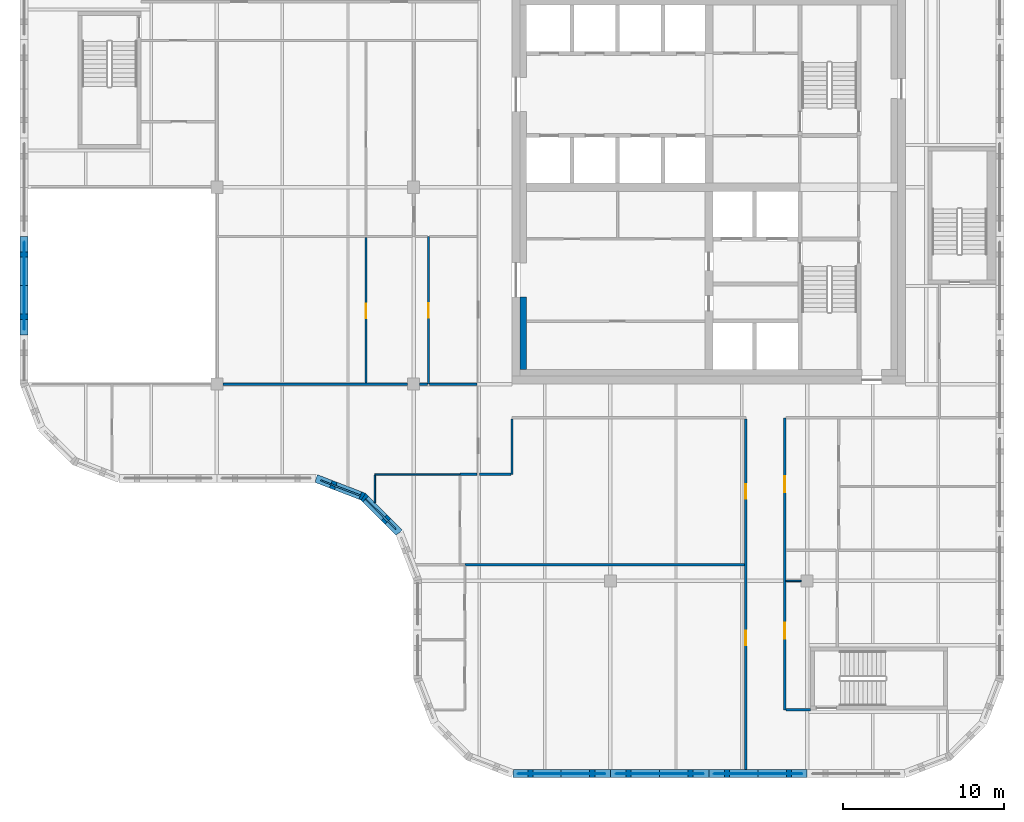
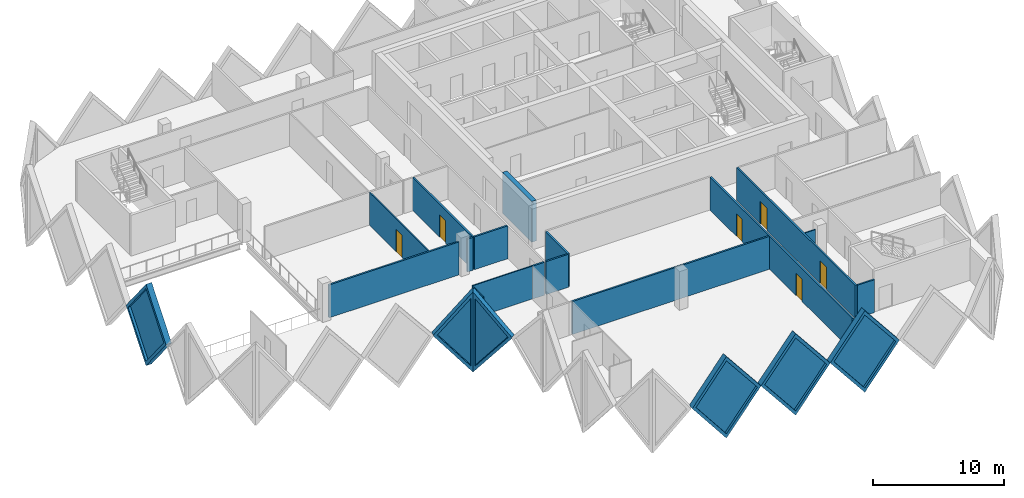
# One storey, part 4 of 11: 22 walls, 6 doors, 6 plates, 12 openings.
"""IFC4 building model written with IfcOpenShell, lengths in metres."""

from ifc_helpers import new_model, si_unit, direction, frame, frame_2d, origin, place, context, subcontext, project, spatial, polyline, rectangle, outline, extrude, faceted_brep, source, transform, mapped, material, layer, layer_set, type_object, element, fill, save


model = new_model("IFC4")

# Units and contexts
model_context = context("Model", 3, precision=1e-05, world=origin(), true_north=direction((0.0, 1.0)))
body_context = subcontext(model_context, "Body", "Model", "MODEL_VIEW")
ifc_project = project(units=[si_unit("LENGTHUNIT", "METRE"), si_unit("AREAUNIT", "SQUARE_METRE"), si_unit("VOLUMEUNIT", "CUBIC_METRE"), si_unit("PLANEANGLEUNIT", "RADIAN"), si_unit("MASSUNIT", "GRAM", prefix="KILO")], contexts=[model_context])

# Site, building, storey
site_placement = place(None, origin())
site = spatial("IfcSite", under=ifc_project, at=site_placement, CompositionType="ELEMENT")
building_placement = place(site_placement, origin())
building = spatial("IfcBuilding", under=site, at=building_placement, Name="Tessera Gate Towers", CompositionType="ELEMENT")
storey_placement = place(building_placement, frame((0.0, 0.0, 201.699951171875)))
storey = spatial("IfcBuildingStorey", under=building, at=storey_placement, Name="L50", CompositionType="ELEMENT", Elevation=201.699951171875)

# Wall
ifc_material_1 = material(Name="Concrete C50/60", Category="concrete")
ifc_layer_1 = layer(ifc_material_1, 0.39990234375)
ifc_layer_set_1 = layer_set([ifc_layer_1], Name="CORE WALL THICKENING 400")
wall_type_1 = type_object("IfcWallType", Name="CORE WALL THICKENING 400", PredefinedType="SOLIDWALL", material=ifc_layer_set_1)
wall_1_placement = place(storey_placement, frame((31.199951171875, 25.300048828125, 0.0), z_axis=(0.0, 0.0, 1.0), x_axis=(0.0, 1.0, 0.0)))
element("IfcWall", 1, at=wall_1_placement, inside=storey, type_object=wall_type_1, Name="Core wall thickening W L50", PredefinedType="SOLIDWALL", context=body_context, shape_type="SweptSolid", body=[
    extrude(rectangle(XDim=4.5, YDim=0.39990234375, at=frame_2d((2.25, 0.0))), origin(), (0.0, 0.0, 1.0), 3.800048828125),
])

# Wall, openings, doors
ifc_material_2 = material(Name="Gypsum board on steel studs, mineral wool", Category="steel")
ifc_layer_2 = layer(ifc_material_2, 0.14990234375)
ifc_layer_set_2 = layer_set([ifc_layer_2], Name="CORRIDOR WALL 150")
wall_type_2 = type_object("IfcWallType", Name="CORRIDOR WALL 150", PredefinedType="PARTITIONING", material=ifc_layer_set_2)
wall_2_placement = place(storey_placement, frame((45.0, 0.5, 0.0), z_axis=(0.0, 0.0, 1.0), x_axis=(0.0, 1.0, 0.0)))
wall_2 = element("IfcWall", 2, at=wall_2_placement, inside=storey, type_object=wall_type_2, Name="T1-L50-PW-001", PredefinedType="PARTITIONING", context=body_context, shape_type="SweptSolid", body=[
    extrude(rectangle(XDim=21.72412109375, YDim=0.14990234375, at=frame_2d((10.862060546875, 0.0))), origin(), (0.0, 0.0, 1.0), 3.067138671875),
])
shared_shape_1 = source(origin(), body_context, "Body", "SweptSolid", [
    extrude(rectangle(XDim=0.89990234375, YDim=2.10009765625, at=frame_2d((0.449951171875, 1.050048828125))), frame((0.0, 0.0849609375, 0.0), z_axis=(0.0, -1.0, 0.0), x_axis=(1.0, 0.0, 0.0)), (0.0, 0.0, 1.0), 0.169921875),
])
opening_1_placement = place(wall_2_placement, frame((7.699951171875, 0.0, 0.0)))
opening_1 = element("IfcOpeningElement", 3, at=opening_1_placement, cuts=wall_2, Name="Opening D890FD60-A18-03", PredefinedType="OPENING", context=body_context, shape_type="MappedRepresentation", body=[
    mapped(shared_shape_1, transform((0.0, 0.0, 0.0), scale=1.0)),
])
opening_2_placement = place(wall_2_placement, frame((16.800048828125, 0.0, 0.0)))
opening_2 = element("IfcOpeningElement", 4, at=opening_2_placement, cuts=wall_2, Name="Opening D890FD60-A18-04", PredefinedType="OPENING", context=body_context, shape_type="MappedRepresentation", body=[
    mapped(shared_shape_1, transform((0.0, 0.0, 0.0), scale=1.0)),
])
ifc_material_3 = material(Name="Timber door leaf in steel frame", Category="steel")
door_type_1 = type_object("IfcDoorType", Name="CORRIDOR DOOR 900 FD60", OperationType="NOTDEFINED", PredefinedType="DOOR", material=ifc_material_3)
shared_shape_2 = source(origin(), body_context, "Body", "SweptSolid", [
    extrude(rectangle(XDim=0.89990234375, YDim=2.10009765625, at=frame_2d((0.449951171875, 1.050048828125))), frame((0.0, 0.02490234375, 0.0), z_axis=(0.0, -1.0, 0.0), x_axis=(1.0, 0.0, 0.0)), (0.0, 0.0, 1.0), 0.050048828125),
])
door_1_placement = place(opening_1_placement, origin())
door_1 = element("IfcDoor", 5, at=door_1_placement, inside=storey, type_object=door_type_1, Name="T1-L50-PD-015", OperationType="SINGLE_SWING_LEFT", OverallHeight=2.10009765625, OverallWidth=0.89990234375, PredefinedType="DOOR", context=body_context, shape_type="MappedRepresentation", body=[
    mapped(shared_shape_2, transform((0.0, 0.0, 0.0), scale=1.0)),
])
fill(opening_1, door_1)
door_2_placement = place(opening_2_placement, origin())
door_2 = element("IfcDoor", 6, at=door_2_placement, inside=storey, type_object=door_type_1, Name="T1-L50-PD-016", OperationType="SINGLE_SWING_LEFT", OverallHeight=2.10009765625, OverallWidth=0.89990234375, PredefinedType="DOOR", context=body_context, shape_type="MappedRepresentation", body=[
    mapped(shared_shape_2, transform((0.0, 0.0, 0.0), scale=1.0)),
])
fill(opening_2, door_2)

wall_3_placement = place(storey_placement, frame((47.39990234375, 22.300048828125, 0.0), z_axis=(0.0, 0.0, 1.0), x_axis=(0.0, -1.0, 0.0)))
wall_3 = element("IfcWall", 7, at=wall_3_placement, inside=storey, type_object=wall_type_2, Name="T1-L50-PW-005", PredefinedType="PARTITIONING", context=body_context, shape_type="SweptSolid", body=[
    extrude(rectangle(XDim=18.10009765625, YDim=0.14990234375, at=frame_2d((9.050048828125, 0.0))), origin(), (0.0, 0.0, 1.0), 3.067138671875),
])
shared_shape_3 = source(origin(), body_context, "Body", "SweptSolid", [
    extrude(rectangle(XDim=1.0, YDim=2.10009765625, at=frame_2d((0.5, 1.050048828125))), frame((0.0, 0.0849609375, 0.0), z_axis=(0.0, -1.0, 0.0), x_axis=(1.0, 0.0, 0.0)), (0.0, 0.0, 1.0), 0.169921875),
])
opening_3_placement = place(wall_3_placement, frame((3.59912109375, 0.0, 0.0)))
opening_3 = element("IfcOpeningElement", 8, at=opening_3_placement, cuts=wall_3, Name="Opening D2100FD60-A18-02", PredefinedType="OPENING", context=body_context, shape_type="MappedRepresentation", body=[
    mapped(shared_shape_3, transform((0.0, 0.0, 0.0), scale=1.0)),
])
opening_4_placement = place(wall_3_placement, frame((12.699951171875, 0.0, 0.0)))
opening_4 = element("IfcOpeningElement", 9, at=opening_4_placement, cuts=wall_3, Name="Opening D2100FD60-A18-05", PredefinedType="OPENING", context=body_context, shape_type="MappedRepresentation", body=[
    mapped(shared_shape_3, transform((0.0, 0.0, 0.0), scale=1.0)),
])
ifc_material_4 = material(Name="Timber door leaf in steel frame", Category="steel")
door_type_2 = type_object("IfcDoorType", Name="TENANCY ENTRANCE DOOR 1000 FD60", OperationType="NOTDEFINED", PredefinedType="DOOR", material=ifc_material_4)
shared_shape_4 = source(origin(), body_context, "Body", "SweptSolid", [
    extrude(rectangle(XDim=1.0, YDim=2.10009765625, at=frame_2d((0.5, 1.050048828125))), frame((0.0, 0.02490234375, 0.0), z_axis=(0.0, -1.0, 0.0), x_axis=(1.0, 0.0, 0.0)), (0.0, 0.0, 1.0), 0.050048828125),
])
door_3_placement = place(opening_3_placement, origin())
door_3 = element("IfcDoor", 10, at=door_3_placement, inside=storey, type_object=door_type_2, Name="T1-L50-PD-011", OperationType="SINGLE_SWING_RIGHT", OverallHeight=2.10009765625, OverallWidth=1.0, PredefinedType="DOOR", context=body_context, shape_type="MappedRepresentation", body=[
    mapped(shared_shape_4, transform((0.0, 0.0, 0.0), scale=1.0)),
])
fill(opening_3, door_3)
door_4_placement = place(opening_4_placement, origin())
door_4 = element("IfcDoor", 11, at=door_4_placement, inside=storey, type_object=door_type_2, Name="T1-L50-PD-021", OperationType="SINGLE_SWING_RIGHT", OverallHeight=2.10009765625, OverallWidth=1.0, PredefinedType="DOOR", context=body_context, shape_type="MappedRepresentation", body=[
    mapped(shared_shape_4, transform((0.0, 0.0, 0.0), scale=1.0)),
])
fill(opening_4, door_4)

# Walls
wall_4_placement = place(storey_placement, frame((47.47607421875, 4.199951171875, 0.0), z_axis=(0.0, 0.0, 1.0), x_axis=(1.0, 0.0, 0.0)))
element("IfcWall", 12, at=wall_4_placement, inside=storey, type_object=wall_type_2, Name="T1-L50-PW-006", PredefinedType="PARTITIONING", context=body_context, shape_type="SweptSolid", body=[
    extrude(rectangle(XDim=1.52392578125, YDim=0.14990234375, at=frame_2d((0.761962890625, 0.0))), origin(), (0.0, 0.0, 1.0), 3.067138671875),
])
wall_5_placement = place(storey_placement, frame((28.47607421875, 18.800048828125, 0.0), z_axis=(0.0, 0.0, 1.0), x_axis=(1.0, 0.0, 0.0)))
element("IfcWall", 13, at=wall_5_placement, inside=storey, type_object=wall_type_2, Name="T1-L50-PW-023", PredefinedType="PARTITIONING", context=body_context, shape_type="SweptSolid", body=[
    extrude(rectangle(XDim=1.947998046875, YDim=0.14990234375, at=frame_2d((0.97412109375, 0.0))), origin(), (0.0, 0.0, 1.0), 3.067138671875),
])
wall_6_placement = place(storey_placement, frame((30.5, 18.800048828125, 0.0), z_axis=(0.0, 0.0, 1.0), x_axis=(0.0, 1.0, 0.0)))
element("IfcWall", 14, at=wall_6_placement, inside=storey, type_object=wall_type_2, Name="T1-L50-PW-024", PredefinedType="PARTITIONING", context=body_context, shape_type="SweptSolid", body=[
    extrude(rectangle(XDim=3.424072265625, YDim=0.14990234375, at=frame_2d((1.7119140625, 0.0))), origin(), (0.0, 0.0, 1.0), 3.067138671875),
])
ifc_material_5 = material(Name="Glass", Category="glass")
ifc_layer_3 = layer(ifc_material_5, 0.10009765625)
ifc_layer_set_3 = layer_set([ifc_layer_3], Name="GLAZED PARTITION 100")
wall_type_3 = type_object("IfcWallType", Name="GLAZED PARTITION 100", PredefinedType="PARTITIONING", material=ifc_layer_set_3)
wall_7_placement = place(storey_placement, frame((22.0, 17.054931640625, 0.0), z_axis=(0.0, 0.0, 1.0), x_axis=(0.0, 1.0, 0.0)))
element("IfcWall", 15, at=wall_7_placement, inside=storey, type_object=wall_type_3, Name="T1-L50-PW-018", PredefinedType="PARTITIONING", context=body_context, shape_type="SweptSolid", body=[
    extrude(rectangle(XDim=1.694091796875, YDim=0.10009765625, at=frame_2d((0.84716796875, 0.0))), origin(), (0.0, 0.0, 1.0), 3.067138671875),
])
wall_8_placement = place(storey_placement, frame((22.0, 18.800048828125, 0.0), z_axis=(0.0, 0.0, 1.0), x_axis=(1.0, 0.0, 0.0)))
element("IfcWall", 16, at=wall_8_placement, inside=storey, type_object=wall_type_3, Name="T1-L50-PW-020", PredefinedType="PARTITIONING", context=body_context, shape_type="SweptSolid", body=[
    extrude(rectangle(XDim=5.27392578125, YDim=0.10009765625, at=frame_2d((2.636962890625, 0.0))), origin(), (0.0, 0.0, 1.0), 3.067138671875),
])
ifc_material_6 = material(Name="Gypsum board on steel studs", Category="steel")
ifc_layer_4 = layer(ifc_material_6, 0.10009765625)
ifc_layer_set_4 = layer_set([ifc_layer_4], Name="PARTITION 100")
wall_type_4 = type_object("IfcWallType", Name="PARTITION 100", PredefinedType="PARTITIONING", material=ifc_layer_set_4)
wall_9_placement = place(storey_placement, frame((48.425048828125, 12.199951171875, 0.0), z_axis=(0.0, 0.0, 1.0), x_axis=(-1.0, 0.0, 0.0)))
element("IfcWall", 17, at=wall_9_placement, inside=storey, type_object=wall_type_4, Name="T1-L50-PW-010", PredefinedType="PARTITIONING", context=body_context, shape_type="SweptSolid", body=[
    extrude(rectangle(XDim=0.949951171875, YDim=0.10009765625, at=frame_2d((0.47509765625, 0.0))), origin(), (0.0, 0.0, 1.0), 3.067138671875),
])

# Wall, opening, door
wall_10_placement = place(storey_placement, frame((21.449951171875, 24.47607421875, 0.0), z_axis=(0.0, 0.0, 1.0), x_axis=(0.0, 1.0, 0.0)))
wall_10 = element("IfcWall", 18, at=wall_10_placement, inside=storey, type_object=wall_type_4, Name="T1-L50-PW-034", PredefinedType="PARTITIONING", context=body_context, shape_type="SweptSolid", body=[
    extrude(rectangle(XDim=8.998046875, YDim=0.10009765625, at=frame_2d((4.4990234375, 0.0))), origin(), (0.0, 0.0, 1.0), 3.067138671875),
])
shared_shape_5 = source(origin(), body_context, "Body", "SweptSolid", [
    extrude(rectangle(XDim=0.89990234375, YDim=2.10009765625, at=frame_2d((0.449951171875, 1.050048828125))), frame((0.0, 0.06005859375, 0.0), z_axis=(0.0, -1.0, 0.0), x_axis=(1.0, 0.0, 0.0)), (0.0, 0.0, 1.0), 0.1201171875),
])
opening_5_placement = place(wall_10_placement, frame((4.0, 0.0, 0.0)))
opening_5 = element("IfcOpeningElement", 19, at=opening_5_placement, cuts=wall_10, Name="Opening D190-A18-05", PredefinedType="OPENING", context=body_context, shape_type="MappedRepresentation", body=[
    mapped(shared_shape_5, transform((0.0, 0.0, 0.0), scale=1.0)),
])
ifc_material_7 = material(Name="Timber door leaf in steel frame", Category="steel")
door_type_3 = type_object("IfcDoorType", Name="INTERNAL DOOR 900 NOT RATED", OperationType="NOTDEFINED", PredefinedType="DOOR", material=ifc_material_7)
door_5_placement = place(opening_5_placement, origin())
door_5 = element("IfcDoor", 20, at=door_5_placement, inside=storey, type_object=door_type_3, Name="T1-L50-PD-014", OperationType="SINGLE_SWING_LEFT", OverallHeight=2.10009765625, OverallWidth=0.89990234375, PredefinedType="DOOR", context=body_context, shape_type="MappedRepresentation", body=[
    mapped(shared_shape_2, transform((0.0, 0.0, 0.0), scale=1.0)),
])
fill(opening_5, door_5)

# Walls
ifc_material_8 = material(Name="Gypsum board on steel studs, mineral wool", Category="steel")
ifc_layer_5 = layer(ifc_material_8, 0.14990234375)
ifc_layer_set_5 = layer_set([ifc_layer_5], Name="TENANCY WALL 150")
wall_type_5 = type_object("IfcWallType", Name="TENANCY WALL 150", PredefinedType="PARTITIONING", material=ifc_layer_set_5)
wall_11_placement = place(storey_placement, frame((27.574951171875, 13.199951171875, 0.0), z_axis=(0.0, 0.0, 1.0), x_axis=(1.0, 0.0, 0.0)))
element("IfcWall", 21, at=wall_11_placement, inside=storey, type_object=wall_type_5, Name="T1-L50-PW-013", PredefinedType="PARTITIONING", context=body_context, shape_type="SweptSolid", body=[
    extrude(rectangle(XDim=17.34912109375, YDim=0.14990234375, at=frame_2d((8.674560546875, 0.0))), origin(), (0.0, 0.0, 1.0), 3.067138671875),
])
wall_12_placement = place(storey_placement, frame((27.27490234375, 18.800048828125, 0.0), z_axis=(0.0, 0.0, 1.0), x_axis=(1.0, 0.0, 0.0)))
element("IfcWall", 22, at=wall_12_placement, inside=storey, type_object=wall_type_5, Name="T1-L50-PW-021", PredefinedType="PARTITIONING", context=body_context, shape_type="SweptSolid", body=[
    extrude(rectangle(XDim=1.049072265625, YDim=0.14990234375, at=frame_2d((0.5244140625, 0.0))), origin(), (0.0, 0.0, 1.0), 3.067138671875),
])
wall_13_placement = place(storey_placement, frame((12.575927734375, 24.39990234375, 0.0), z_axis=(0.0, 0.0, 1.0), x_axis=(1.0, 0.0, 0.0)))
element("IfcWall", 23, at=wall_13_placement, inside=storey, type_object=wall_type_5, Name="T1-L50-PW-030", PredefinedType="PARTITIONING", context=body_context, shape_type="SweptSolid", body=[
    extrude(rectangle(XDim=11.447998046875, YDim=0.14990234375, at=frame_2d((5.72412109375, 0.0))), origin(), (0.0, 0.0, 1.0), 3.067138671875),
])
wall_14_placement = place(storey_placement, frame((24.77587890625, 24.39990234375, 0.0), z_axis=(0.0, 0.0, 1.0), x_axis=(1.0, 0.0, 0.0)))
element("IfcWall", 24, at=wall_14_placement, inside=storey, type_object=wall_type_5, Name="T1-L50-PW-031", PredefinedType="PARTITIONING", context=body_context, shape_type="SweptSolid", body=[
    extrude(rectangle(XDim=0.47314453125, YDim=0.14990234375, at=frame_2d((0.236572265625, 0.0))), origin(), (0.0, 0.0, 1.0), 3.067138671875),
])

# Wall, opening, door
wall_15_placement = place(storey_placement, frame((25.324951171875, 24.39990234375, 0.0), z_axis=(0.0, 0.0, 1.0), x_axis=(0.0, 1.0, 0.0)))
wall_15 = element("IfcWall", 25, at=wall_15_placement, inside=storey, type_object=wall_type_5, Name="T1-L50-PW-032", PredefinedType="PARTITIONING", context=body_context, shape_type="SweptSolid", body=[
    extrude(rectangle(XDim=9.150146484375, YDim=0.14990234375, at=frame_2d((4.5751953125, 0.0))), origin(), (0.0, 0.0, 1.0), 3.067138671875),
])
opening_6_placement = place(wall_15_placement, frame((4.10009765625, 0.0, 0.0)))
opening_6 = element("IfcOpeningElement", 26, at=opening_6_placement, cuts=wall_15, Name="Opening D190-A18-06", PredefinedType="OPENING", context=body_context, shape_type="MappedRepresentation", body=[
    mapped(shared_shape_1, transform((0.0, 0.0, 0.0), scale=1.0)),
])
door_6_placement = place(opening_6_placement, origin())
door_6 = element("IfcDoor", 27, at=door_6_placement, inside=storey, type_object=door_type_3, Name="T1-L50-PD-020", OperationType="SINGLE_SWING_LEFT", OverallHeight=2.10009765625, OverallWidth=0.89990234375, PredefinedType="DOOR", context=body_context, shape_type="MappedRepresentation", body=[
    mapped(shared_shape_2, transform((0.0, 0.0, 0.0), scale=1.0)),
])
fill(opening_6, door_6)

# Wall
wall_16_placement = place(storey_placement, frame((25.40087890625, 24.39990234375, 0.0), z_axis=(0.0, 0.0, 1.0), x_axis=(1.0, 0.0, 0.0)))
element("IfcWall", 28, at=wall_16_placement, inside=storey, type_object=wall_type_5, Name="T1-L50-PW-033", PredefinedType="PARTITIONING", context=body_context, shape_type="SweptSolid", body=[
    extrude(rectangle(XDim=2.923095703125, YDim=0.14990234375, at=frame_2d((1.46142578125, 0.0))), origin(), (0.0, 0.0, 1.0), 3.067138671875),
])

# Wall, opening, plate
ifc_material_9 = material(Name="Precast concrete C60/75 white", Category="concrete")
ifc_layer_6 = layer(ifc_material_9, 0.5)
ifc_layer_set_6 = layer_set([ifc_layer_6], Name="TS1 tessera")
wall_type_6 = type_object("IfcWallType", Name="TS1 tessera", PredefinedType="SOLIDWALL", material=ifc_layer_set_6)
shared_shape_6 = source(origin(), body_context, "Body", "Brep", [
    faceted_brep([(3.00341796875, -0.25, 0.0), (6.053466796875, -0.25, 3.800048828125), (3.00341796875, -0.25, 7.60009765625), (0.0, -0.25, 3.800048828125), (0.046630859375, 0.25, 3.85888671875), (3.00341796875, 0.25, 7.60009765625), (6.053466796875, 0.25, 3.800048828125), (3.00341796875, 0.25, 0.0), (0.046630859375, 0.25, 3.7412109375), (0.0, 0.0, 3.800048828125)], [[[0, 1, 2, 3]], [[4, 5, 6, 7, 8]], [[7, 6, 1, 0]], [[6, 5, 2, 1]], [[5, 4, 9, 3, 2]], [[8, 7, 0, 3, 9]], [[8, 9, 4]]]),
])
wall_17_placement = place(storey_placement, frame((30.546630859375, 0.25, -3.800048828125), z_axis=(0.0, 0.0, 1.0), x_axis=(1.0, 0.0, 0.0)))
wall_17 = element("IfcWall", 29, at=wall_17_placement, inside=storey, type_object=wall_type_6, Name="Precast tessera T1 TS1-0851", PredefinedType="SOLIDWALL", context=body_context, shape_type="MappedRepresentation", body=[
    mapped(shared_shape_6, transform((0.0, 0.0, 0.0), scale=1.0)),
])
shared_shape_7 = source(origin(), body_context, "Body", "SweptSolid", [
    extrude(outline(polyline([(3.0048828125, 0.4013671875), (5.73291015625, 3.800048828125), (3.0048828125, 7.19873046875), (0.318603515625, 3.800048828125), (3.0048828125, 0.4013671875)])), frame((0.0, 0.260009765625, 0.0), z_axis=(0.0, -1.0, 0.0), x_axis=(1.0, 0.0, 0.0)), (0.0, 0.0, 1.0), 0.52001953125),
])
opening_7_placement = place(wall_17_placement, origin())
opening_7 = element("IfcOpeningElement", 30, at=opening_7_placement, cuts=wall_17, Name="Opening T1-PL2-1739", PredefinedType="OPENING", context=body_context, shape_type="MappedRepresentation", body=[
    mapped(shared_shape_7, transform((0.0, 0.0, 0.0), scale=1.0)),
])
ifc_material_10 = material(Name="Low-e laminated glass", Category="glass")
ifc_layer_7 = layer(ifc_material_10, 0.06005859375)
ifc_layer_set_7 = layer_set([ifc_layer_7], Name="PL2 rhombic pane")
plate_type = type_object("IfcPlateType", Name="PL2 rhombic pane", PredefinedType="SHEET", material=ifc_layer_set_7)
shared_shape_8 = source(origin(), body_context, "Body", "SweptSolid", [
    extrude(outline(polyline([(3.0048828125, 0.4013671875), (5.73291015625, 3.800048828125), (3.0048828125, 7.19873046875), (0.318603515625, 3.800048828125), (3.0048828125, 0.4013671875)])), frame((0.0, 0.030029296875, 0.0), z_axis=(0.0, -1.0, 0.0), x_axis=(1.0, 0.0, 0.0)), (0.0, 0.0, 1.0), 0.06005859375),
])
plate_1_placement = place(opening_7_placement, origin())
plate_1 = element("IfcPlate", 31, at=plate_1_placement, inside=storey, type_object=plate_type, Name="Glass pane T1 PL2-1739", PredefinedType="SHEET", context=body_context, shape_type="MappedRepresentation", body=[
    mapped(shared_shape_8, transform((0.0, 0.0, 0.0), scale=1.0)),
])
fill(opening_7, plate_1)

shared_shape_9 = source(origin(), body_context, "Body", "Brep", [
    faceted_brep([(3.050048828125, -0.25, 0.0), (6.099853515625, -0.25, 3.7998046875), (6.099853515625, -0.25, 3.80029296875), (3.050048828125, -0.25, 7.60009765625), (0.0, -0.25, 3.800048828125), (0.0, 0.25, 3.800048828125), (3.050048828125, 0.25, 7.60009765625), (6.099853515625, 0.25, 3.80029296875), (6.099853515625, 0.25, 3.7998046875), (3.050048828125, 0.25, 0.0)], [[[0, 1, 2, 3, 4]], [[5, 6, 7, 8, 9]], [[9, 8, 1, 0]], [[7, 6, 3, 2]], [[6, 5, 4, 3]], [[5, 9, 0, 4]], [[1, 8, 7, 2]]]),
])
wall_18_placement = place(storey_placement, frame((36.60009765625, 0.25, -3.800048828125), z_axis=(0.0, 0.0, 1.0), x_axis=(1.0, 0.0, 0.0)))
wall_18 = element("IfcWall", 32, at=wall_18_placement, inside=storey, type_object=wall_type_6, Name="Precast tessera T1 TS1-0852", PredefinedType="SOLIDWALL", context=body_context, shape_type="MappedRepresentation", body=[
    mapped(shared_shape_9, transform((0.0, 0.0, 0.0), scale=1.0)),
])
shared_shape_10 = source(origin(), body_context, "Body", "SweptSolid", [
    extrude(outline(polyline([(3.050048828125, 0.3994140625), (5.779541015625, 3.800048828125), (3.050048828125, 7.20068359375), (0.320556640625, 3.800048828125), (3.050048828125, 0.3994140625)])), frame((0.0, 0.260009765625, 0.0), z_axis=(0.0, -1.0, 0.0), x_axis=(1.0, 0.0, 0.0)), (0.0, 0.0, 1.0), 0.52001953125),
])
opening_8_placement = place(wall_18_placement, origin())
opening_8 = element("IfcOpeningElement", 33, at=opening_8_placement, cuts=wall_18, Name="Opening T1-PL2-1740", PredefinedType="OPENING", context=body_context, shape_type="MappedRepresentation", body=[
    mapped(shared_shape_10, transform((0.0, 0.0, 0.0), scale=1.0)),
])
shared_shape_11 = source(origin(), body_context, "Body", "SweptSolid", [
    extrude(outline(polyline([(3.050048828125, 0.3994140625), (5.779541015625, 3.800048828125), (3.050048828125, 7.20068359375), (0.320556640625, 3.800048828125), (3.050048828125, 0.3994140625)])), frame((0.0, 0.030029296875, 0.0), z_axis=(0.0, -1.0, 0.0), x_axis=(1.0, 0.0, 0.0)), (0.0, 0.0, 1.0), 0.06005859375),
])
plate_2_placement = place(opening_8_placement, origin())
plate_2 = element("IfcPlate", 34, at=plate_2_placement, inside=storey, type_object=plate_type, Name="Glass pane T1 PL2-1740", PredefinedType="SHEET", context=body_context, shape_type="MappedRepresentation", body=[
    mapped(shared_shape_11, transform((0.0, 0.0, 0.0), scale=1.0)),
])
fill(opening_8, plate_2)

shared_shape_12 = source(origin(), body_context, "Body", "SweptSolid", [
    extrude(outline(polyline([(3.050048828125, 0.0), (6.10009765625, 3.800048828125), (3.050048828125, 7.60009765625), (0.0, 3.800048828125), (3.050048828125, 0.0)])), frame((0.0, 0.25, 0.0), z_axis=(0.0, -1.0, 0.0), x_axis=(1.0, 0.0, 0.0)), (0.0, 0.0, 1.0), 0.5),
])
wall_19_placement = place(storey_placement, frame((42.699951171875, 0.25, -3.800048828125), z_axis=(0.0, 0.0, 1.0), x_axis=(1.0, 0.0, 0.0)))
wall_19 = element("IfcWall", 35, at=wall_19_placement, inside=storey, type_object=wall_type_6, Name="Precast tessera T1 TS1-0853", PredefinedType="SOLIDWALL", context=body_context, shape_type="MappedRepresentation", body=[
    mapped(shared_shape_12, transform((0.0, 0.0, 0.0), scale=1.0)),
])
opening_9_placement = place(wall_19_placement, origin())
opening_9 = element("IfcOpeningElement", 36, at=opening_9_placement, cuts=wall_19, Name="Opening T1-PL2-1741", PredefinedType="OPENING", context=body_context, shape_type="MappedRepresentation", body=[
    mapped(shared_shape_10, transform((0.0, 0.0, 0.0), scale=1.0)),
])
plate_3_placement = place(opening_9_placement, origin())
plate_3 = element("IfcPlate", 37, at=plate_3_placement, inside=storey, type_object=plate_type, Name="Glass pane T1 PL2-1741", PredefinedType="SHEET", context=body_context, shape_type="MappedRepresentation", body=[
    mapped(shared_shape_11, transform((0.0, 0.0, 0.0), scale=1.0)),
])
fill(opening_9, plate_3)

wall_20_placement = place(storey_placement, frame((0.25, 33.550048828125, -3.800048828125), z_axis=(0.0, 0.0, 1.0), x_axis=(0.0, -1.0, 0.0)))
wall_20 = element("IfcWall", 38, at=wall_20_placement, inside=storey, type_object=wall_type_6, Name="Precast tessera T1 TS1-0871", PredefinedType="SOLIDWALL", context=body_context, shape_type="MappedRepresentation", body=[
    mapped(shared_shape_12, transform((0.0, 0.0, 0.0), scale=1.0)),
])
opening_10_placement = place(wall_20_placement, origin())
opening_10 = element("IfcOpeningElement", 39, at=opening_10_placement, cuts=wall_20, Name="Opening T1-PL2-1771", PredefinedType="OPENING", context=body_context, shape_type="MappedRepresentation", body=[
    mapped(shared_shape_10, transform((0.0, 0.0, 0.0), scale=1.0)),
])
plate_4_placement = place(opening_10_placement, origin())
plate_4 = element("IfcPlate", 40, at=plate_4_placement, inside=storey, type_object=plate_type, Name="Glass pane T1 PL2-1771", PredefinedType="SHEET", context=body_context, shape_type="MappedRepresentation", body=[
    mapped(shared_shape_11, transform((0.0, 0.0, 0.0), scale=1.0)),
])
fill(opening_10, plate_4)

ifc_material_11 = material(Name="Precast concrete C60/75 white", Category="concrete")
ifc_layer_8 = layer(ifc_material_11, 0.5)
ifc_layer_set_8 = layer_set([ifc_layer_8], Name="TS3 corner tessera")
wall_type_7 = type_object("IfcWallType", Name="TS3 corner tessera", PredefinedType="SOLIDWALL", material=ifc_layer_set_8)
shared_shape_13 = source(origin(), body_context, "Body", "Brep", [
    faceted_brep([(3.096435546875, -0.25, 7.536376953125), (0.046630859375, -0.25, 3.856201171875), (0.046630859375, -0.25, 3.743896484375), (3.096435546875, -0.25, 0.063720703125), (0.0, 0.25, 3.800048828125), (3.1494140625, 0.25, 7.60009765625), (3.202392578125, 0.25, 7.536376953125), (3.202392578125, 0.25, 0.063720703125), (3.1494140625, 0.25, 0.0), (3.1494140625, -0.000244140625, 0.0), (3.1494140625, -0.000244140625, 7.60009765625), (0.0, 0.0, 3.800048828125)], [[[0, 1, 2, 3]], [[4, 5, 6, 7, 8]], [[8, 7, 9]], [[6, 5, 10]], [[5, 4, 11, 1, 0, 10]], [[4, 8, 9, 3, 2, 11]], [[11, 2, 1]], [[3, 9, 7, 6, 10, 0]]]),
])
wall_21_placement = place(storey_placement, frame((18.346435546875, 18.550048828125, -3.800048828125), z_axis=(0.0, 0.0, 1.0), x_axis=(0.932985567668, -0.359913782069, 0.0)))
wall_21 = element("IfcWall", 41, at=wall_21_placement, inside=storey, type_object=wall_type_7, Name="Precast corner tessera T1 TS3-1169", PredefinedType="SOLIDWALL", context=body_context, shape_type="MappedRepresentation", body=[
    mapped(shared_shape_13, transform((0.0, 0.0, 0.0), scale=1.0)),
])
shared_shape_14 = source(origin(), body_context, "Body", "SweptSolid", [
    extrude(outline(polyline([(2.949462890625, 6.967041015625), (0.32470703125, 3.800048828125), (2.949462890625, 0.63330078125), (2.949462890625, 6.967041015625)])), frame((0.0, 0.260009765625, 0.0), z_axis=(0.0, -1.0, 0.0), x_axis=(1.0, 0.0, 0.0)), (0.0, 0.0, 1.0), 0.52001953125),
])
opening_11_placement = place(wall_21_placement, origin())
opening_11 = element("IfcOpeningElement", 42, at=opening_11_placement, cuts=wall_21, Name="Opening T1-PL2-1778", PredefinedType="OPENING", context=body_context, shape_type="MappedRepresentation", body=[
    mapped(shared_shape_14, transform((0.0, 0.0, 0.0), scale=1.0)),
])
shared_shape_15 = source(origin(), body_context, "Body", "SweptSolid", [
    extrude(outline(polyline([(2.949462890625, 6.967041015625), (0.32470703125, 3.800048828125), (2.949462890625, 0.63330078125), (2.949462890625, 6.967041015625)])), frame((0.0, 0.030029296875, 0.0), z_axis=(0.0, -1.0, 0.0), x_axis=(1.0, 0.0, 0.0)), (0.0, 0.0, 1.0), 0.06005859375),
])
plate_5_placement = place(opening_11_placement, origin())
plate_5 = element("IfcPlate", 43, at=plate_5_placement, inside=storey, type_object=plate_type, Name="Glass pane T1 PL2-1778", PredefinedType="SHEET", context=body_context, shape_type="MappedRepresentation", body=[
    mapped(shared_shape_15, transform((0.0, 0.0, 0.0), scale=1.0)),
])
fill(opening_11, plate_5)

shared_shape_16 = source(origin(), body_context, "Body", "Brep", [
    faceted_brep([(0.10595703125, -0.25, 0.063720703125), (3.156005859375, -0.25, 3.736328125), (3.156005859375, -0.25, 3.86376953125), (0.10595703125, -0.25, 7.536376953125), (0.0, 0.25, 7.5361328125), (0.052978515625, 0.25, 7.60009765625), (3.208740234375, 0.25, 3.800048828125), (0.052978515625, 0.25, 0.0), (0.0, 0.25, 0.06396484375), (3.208740234375, -0.00048828125, 3.800048828125), (0.052978515625, 0.0, 0.0), (0.052978515625, 0.0, 7.60009765625)], [[[0, 1, 2, 3]], [[4, 5, 6, 7, 8]], [[7, 6, 9, 1, 0, 10]], [[6, 5, 11, 3, 2, 9]], [[5, 4, 11]], [[8, 7, 10]], [[8, 10, 0, 3, 11, 4]], [[1, 9, 2]]]),
])
wall_22_placement = place(storey_placement, frame((21.24755859375, 17.453857421875, -3.800048828125), z_axis=(0.0, 0.0, 1.0), x_axis=(0.707106781187, -0.707106781187, 0.0)))
wall_22 = element("IfcWall", 44, at=wall_22_placement, inside=storey, type_object=wall_type_7, Name="Precast corner tessera T1 TS3-1170", PredefinedType="SOLIDWALL", context=body_context, shape_type="MappedRepresentation", body=[
    mapped(shared_shape_16, transform((0.0, 0.0, 0.0), scale=1.0)),
])
shared_shape_17 = source(origin(), body_context, "Body", "SweptSolid", [
    extrude(outline(polyline([(0.2529296875, 0.63232421875), (2.8837890625, 3.800048828125), (0.2529296875, 6.968017578125), (0.2529296875, 0.63232421875)])), frame((0.0, 0.260009765625, 0.0), z_axis=(0.0, -1.0, 0.0), x_axis=(1.0, 0.0, 0.0)), (0.0, 0.0, 1.0), 0.52001953125),
])
opening_12_placement = place(wall_22_placement, origin())
opening_12 = element("IfcOpeningElement", 45, at=opening_12_placement, cuts=wall_22, Name="Opening T1-PL2-1779", PredefinedType="OPENING", context=body_context, shape_type="MappedRepresentation", body=[
    mapped(shared_shape_17, transform((0.0, 0.0, 0.0), scale=1.0)),
])
shared_shape_18 = source(origin(), body_context, "Body", "SweptSolid", [
    extrude(outline(polyline([(0.2529296875, 0.63232421875), (2.8837890625, 3.800048828125), (0.2529296875, 6.968017578125), (0.2529296875, 0.63232421875)])), frame((0.0, 0.030029296875, 0.0), z_axis=(0.0, -1.0, 0.0), x_axis=(1.0, 0.0, 0.0)), (0.0, 0.0, 1.0), 0.06005859375),
])
plate_6_placement = place(opening_12_placement, origin())
plate_6 = element("IfcPlate", 46, at=plate_6_placement, inside=storey, type_object=plate_type, Name="Glass pane T1 PL2-1779", PredefinedType="SHEET", context=body_context, shape_type="MappedRepresentation", body=[
    mapped(shared_shape_18, transform((0.0, 0.0, 0.0), scale=1.0)),
])
fill(opening_12, plate_6)

save(model, "model.ifc")
